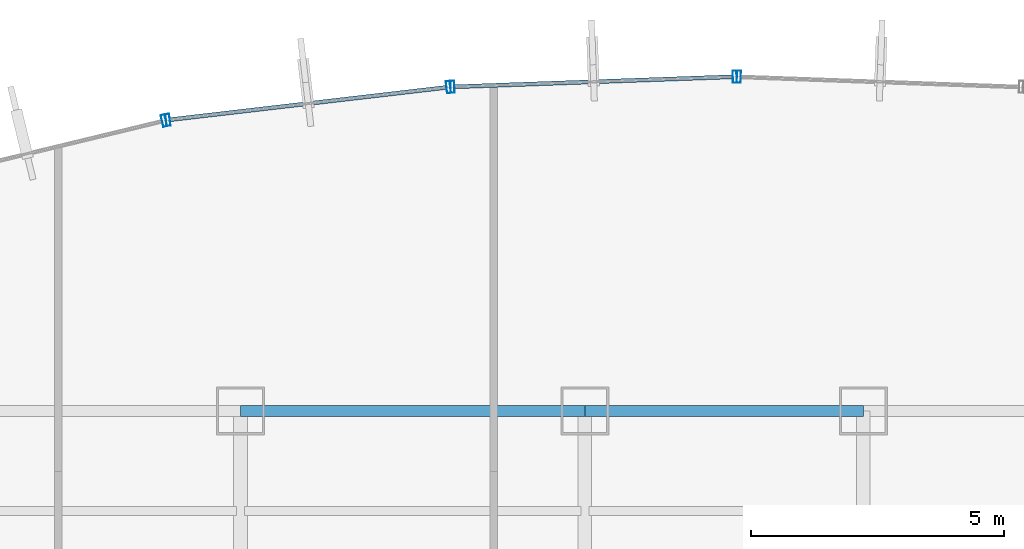
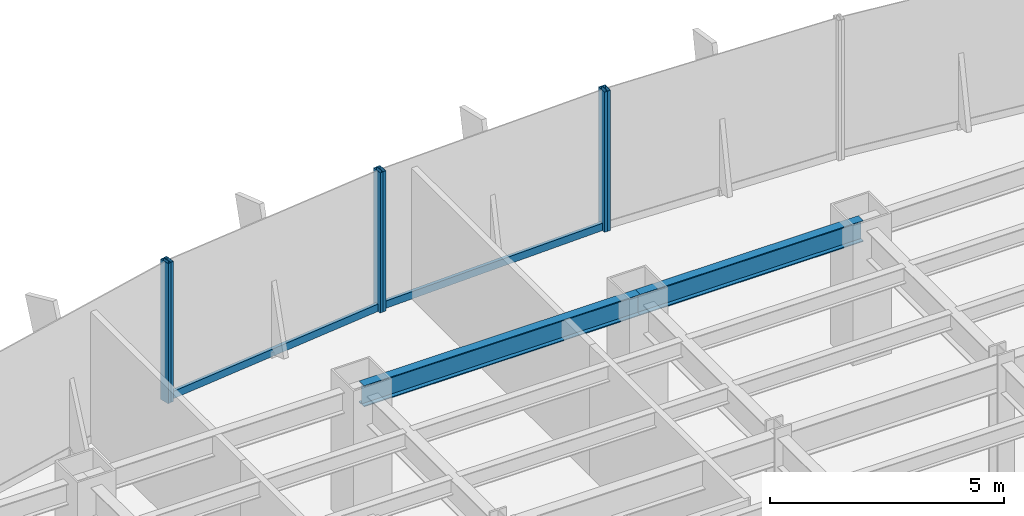
# One storey, part 12 of 22: 8 members, 2 beams, 4 elements without a shape of their own.
"""IFC4 building model written with IfcOpenShell, lengths in metres."""

from ifc_helpers import new_model, si_unit, derived_unit, direction, frame, origin, origin_2d, place, context, subcontext, project, spatial, hollow_rectangle, i_section, extrude, source, transform, mapped, material, material_profile, profile_set, type_object, element, aggregate, save


model = new_model("IFC4")

# Units and contexts
model_context = context("Model", 3, precision=1e-05, world=origin(), true_north=direction((0.0, 1.0)))
body_context = subcontext(model_context, "Body", "Model", "MODEL_VIEW")
ifc_project = project(units=[si_unit("LENGTHUNIT", "METRE"), si_unit("AREAUNIT", "SQUARE_METRE"), si_unit("VOLUMEUNIT", "CUBIC_METRE"), si_unit("PLANEANGLEUNIT", "RADIAN"), si_unit("MASSUNIT", "GRAM", prefix="KILO"), derived_unit("THERMALTRANSMITTANCEUNIT", [(si_unit("POWERUNIT", "WATT"), 1), (si_unit("LENGTHUNIT", "METRE"), -2), (si_unit("THERMODYNAMICTEMPERATUREUNIT", "KELVIN"), -1)])], contexts=[model_context])

# Site, building, storey
site_placement = place(None, origin())
site = spatial("IfcSite", under=ifc_project, at=site_placement, CompositionType="ELEMENT")
building_placement = place(site_placement, origin())
building = spatial("IfcBuilding", under=site, at=building_placement, Name="Skarnbrae Concourse Arena and Tower", CompositionType="ELEMENT")
storey_placement = place(building_placement, frame((0.0, 0.0, 76.300048828125)))
storey = spatial("IfcBuildingStorey", under=building, at=storey_placement, Name="L18", CompositionType="ELEMENT", Elevation=76.300048828125)

# Beams
ifc_material_1 = material(Name="Steel CSA G40.21 350W", Category="steel")
ifc_material_profile_1 = material_profile(ifc_material_1, i_section(OverallWidth=0.214111328125, OverallDepth=0.549072265625, WebThickness=0.0146484375, FlangeThickness=0.023681640625, at=origin_2d()), Name="W530X138")
ifc_profile_set_1 = profile_set([ifc_material_profile_1], Name="Steel CSA G40.21 350W")
beam_type = type_object("IfcBeamType", Name="BM-SPAN-W530X138", PredefinedType="SPANDREL", material=ifc_profile_set_1)
shared_shape_1 = source(origin(), body_context, "Body", "SweptSolid", [
    extrude(i_section(OverallWidth=0.214111328125, OverallDepth=0.549072265625, WebThickness=0.0146484375, FlangeThickness=0.023681640625, at=origin_2d()), origin(), (0.0, 0.0, 1.0), 6.800048828125),
])
beam_1_placement = place(storey_placement, frame((21.199951171875, 40.39990234375, 3.12548828125), z_axis=(1.0, 0.0, 0.0), x_axis=(0.0, 1.0, 0.0)))
element("IfcBeam", 1, at=beam_1_placement, inside=storey, type_object=beam_type, Name="L18 Perimeter spandrel Y40.4-3", PredefinedType="SPANDREL", context=body_context, shape_type="MappedRepresentation", body=[
    mapped(shared_shape_1, transform((0.0, 0.0, 0.0))),
])
shared_shape_2 = source(origin(), body_context, "Body", "SweptSolid", [
    extrude(i_section(OverallWidth=0.214111328125, OverallDepth=0.549072265625, WebThickness=0.0146484375, FlangeThickness=0.023681640625, at=origin_2d()), origin(), (0.0, 0.0, 1.0), 5.5),
])
beam_2_placement = place(storey_placement, frame((28.0, 40.39990234375, 3.12548828125), z_axis=(1.0, 0.0, 0.0), x_axis=(0.0, 1.0, 0.0)))
element("IfcBeam", 2, at=beam_2_placement, inside=storey, type_object=beam_type, Name="L18 Perimeter spandrel Y40.4-4", PredefinedType="SPANDREL", context=body_context, shape_type="MappedRepresentation", body=[
    mapped(shared_shape_2, transform((0.0, 0.0, 0.0))),
])

# Curtain wall, member
ifc_material_2 = material(Name="Bronze anodised aluminium 6063-T6", Category="aluminium")
curtain_wall_type = type_object("IfcCurtainWallType", Name="CW-SYS-02-LOWZONE", PredefinedType="USERDEFINED", material=ifc_material_2)
curtain_wall_1_placement = place(storey_placement, origin())
curtain_wall_1 = element("IfcCurtainWall", 3, at=curtain_wall_1_placement, inside=storey, type_object=curtain_wall_type, Name="L18 Unitised curtain wall CW-L18-E11", ObjectType="UNITISED CURTAIN WALL", PredefinedType="USERDEFINED")
ifc_material_profile_2 = material_profile(ifc_material_2, hollow_rectangle(XDim=0.080078125, YDim=0.239990234375, WallThickness=0.0048828125, at=origin_2d()), Name="ALU-MULL-80X240")
ifc_profile_set_2 = profile_set([ifc_material_profile_2], Name="Bronze anodised aluminium 6063-T6")
member_type_1 = type_object("IfcMemberType", Name="CWM-CW-02", PredefinedType="MULLION", material=ifc_profile_set_2)
shared_shape_3 = source(origin(), body_context, "Body", "SweptSolid", [
    extrude(hollow_rectangle(XDim=0.080078125, YDim=0.239990234375, WallThickness=0.0048828125, at=origin_2d()), origin(), (0.0, 0.0, 1.0), 3.64990234375),
])
member_1_placement = place(storey_placement, frame((31.0400390625, 46.99853515625, 0.0), z_axis=(0.0, 0.0, 1.0), x_axis=(-0.999355425188, 0.035898943527, 0.0)))
member_1 = element("IfcMember", 4, at=member_1_placement, type_object=member_type_1, Name="CW-L18-E11 Mullion 2", PredefinedType="MULLION", context=body_context, shape_type="MappedRepresentation", body=[
    mapped(shared_shape_3, transform((0.0, 0.0, 0.0))),
])
aggregate(curtain_wall_1, [member_1])

# Curtain wall, members
curtain_wall_2_placement = place(storey_placement, origin())
curtain_wall_2 = element("IfcCurtainWall", 5, at=curtain_wall_2_placement, inside=storey, type_object=curtain_wall_type, Name="L18 Unitised curtain wall CW-L18-E12", ObjectType="UNITISED CURTAIN WALL", PredefinedType="USERDEFINED")
member_2_placement = place(storey_placement, frame((30.9599609375, 46.99853515625, 0.0), z_axis=(0.0, 0.0, 1.0), x_axis=(-0.999355425188, -0.035898943527, 0.0)))
member_2 = element("IfcMember", 6, at=member_2_placement, type_object=member_type_1, Name="CW-L18-E12 Mullion 1", PredefinedType="MULLION", context=body_context, shape_type="MappedRepresentation", body=[
    mapped(shared_shape_3, transform((0.0, 0.0, 0.0))),
])
member_3_placement = place(storey_placement, frame((25.385986328125, 46.79833984375, 0.0), z_axis=(0.0, 0.0, 1.0), x_axis=(-0.999355425188, -0.035898943527, 0.0)))
member_3 = element("IfcMember", 7, at=member_3_placement, type_object=member_type_1, Name="CW-L18-E12 Mullion 2", PredefinedType="MULLION", context=body_context, shape_type="MappedRepresentation", body=[
    mapped(shared_shape_3, transform((0.0, 0.0, 0.0))),
])

curtain_wall_3_placement = place(storey_placement, origin())
curtain_wall_3 = element("IfcCurtainWall", 8, at=curtain_wall_3_placement, inside=storey, type_object=curtain_wall_type, Name="L18 Unitised curtain wall CW-L18-E13", ObjectType="UNITISED CURTAIN WALL", PredefinedType="USERDEFINED")
member_4_placement = place(storey_placement, frame((25.306396484375, 46.792236328125, 0.0), z_axis=(0.0, 0.0, 1.0), x_axis=(-0.99324457001, -0.116039752435, 0.0)))
member_4 = element("IfcMember", 9, at=member_4_placement, type_object=member_type_1, Name="CW-L18-E13 Mullion 1", PredefinedType="MULLION", context=body_context, shape_type="MappedRepresentation", body=[
    mapped(shared_shape_3, transform((0.0, 0.0, 0.0))),
])
member_5_placement = place(storey_placement, frame((19.767333984375, 46.14501953125, 0.0), z_axis=(0.0, 0.0, 1.0), x_axis=(-0.99324457001, -0.116039752435, 0.0)))
member_5 = element("IfcMember", 10, at=member_5_placement, type_object=member_type_1, Name="CW-L18-E13 Mullion 2", PredefinedType="MULLION", context=body_context, shape_type="MappedRepresentation", body=[
    mapped(shared_shape_3, transform((0.0, 0.0, 0.0))),
])

# Curtain wall, member
curtain_wall_4_placement = place(storey_placement, origin())
curtain_wall_4 = element("IfcCurtainWall", 11, at=curtain_wall_4_placement, inside=storey, type_object=curtain_wall_type, Name="L18 Unitised curtain wall CW-L18-E14", ObjectType="UNITISED CURTAIN WALL", PredefinedType="USERDEFINED")
member_6_placement = place(storey_placement, frame((19.688720703125, 46.131103515625, 0.0), z_axis=(0.0, 0.0, 1.0), x_axis=(-0.971973721569, -0.235089524607, 0.0)))
member_6 = element("IfcMember", 12, at=member_6_placement, type_object=member_type_1, Name="CW-L18-E14 Mullion 1", PredefinedType="MULLION", context=body_context, shape_type="MappedRepresentation", body=[
    mapped(shared_shape_3, transform((0.0, 0.0, 0.0))),
])
aggregate(curtain_wall_4, [member_6])

# Member
ifc_material_profile_3 = material_profile(ifc_material_2, hollow_rectangle(XDim=0.080078125, YDim=0.18994140625, WallThickness=0.0048828125, at=origin_2d()), Name="ALU-TRAN-80X190")
ifc_profile_set_3 = profile_set([ifc_material_profile_3], Name="Bronze anodised aluminium 6063-T6")
member_type_2 = type_object("IfcMemberType", Name="CWT-CW-02", PredefinedType="USERDEFINED", material=ifc_profile_set_3)
shared_shape_4 = source(origin(), body_context, "Body", "SweptSolid", [
    extrude(hollow_rectangle(XDim=0.080078125, YDim=0.18994140625, WallThickness=0.0048828125, at=origin_2d()), origin(), (0.0, 0.0, 1.0), 5.49658203125),
])
member_7_placement = place(storey_placement, frame((25.2666015625, 46.78759765625, 0.094970703125), z_axis=(-0.993247281455, -0.116016541417, 0.0), x_axis=(0.116016541417, -0.993247281455, 0.0)))
member_7 = element("IfcMember", 13, at=member_7_placement, type_object=member_type_2, Name="CW-L18-E13 Transom 1", ObjectType="TRANSOM", PredefinedType="USERDEFINED", context=body_context, shape_type="MappedRepresentation", body=[
    mapped(shared_shape_4, transform((0.0, 0.0, 0.0))),
])

aggregate(curtain_wall_3, [member_4, member_5, member_7])

shared_shape_5 = source(origin(), body_context, "Body", "SweptSolid", [
    extrude(hollow_rectangle(XDim=0.080078125, YDim=0.18994140625, WallThickness=0.0048828125, at=origin_2d()), origin(), (0.0, 0.0, 1.0), 5.497802734375),
])
member_8_placement = place(storey_placement, frame((30.920166015625, 46.9970703125, 0.094970703125), z_axis=(-0.999356047798, -0.03588160712, 0.0), x_axis=(0.03588160712, -0.999356047798, 0.0)))
member_8 = element("IfcMember", 14, at=member_8_placement, type_object=member_type_2, Name="CW-L18-E12 Transom 1", ObjectType="TRANSOM", PredefinedType="USERDEFINED", context=body_context, shape_type="MappedRepresentation", body=[
    mapped(shared_shape_5, transform((0.0, 0.0, 0.0))),
])

aggregate(curtain_wall_2, [member_2, member_3, member_8])

save(model, "model.ifc")
